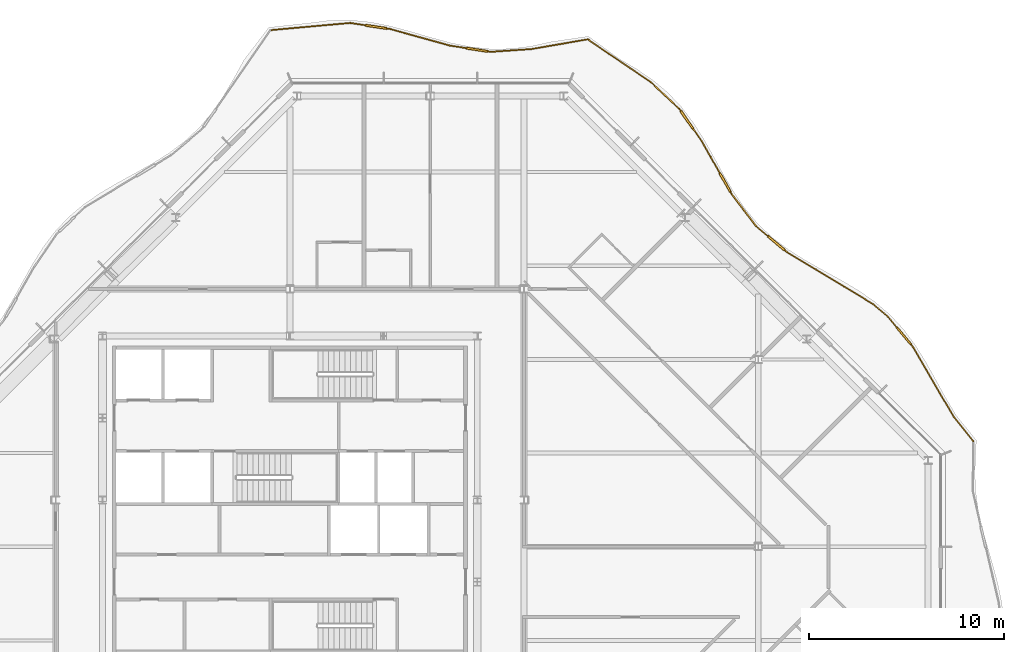
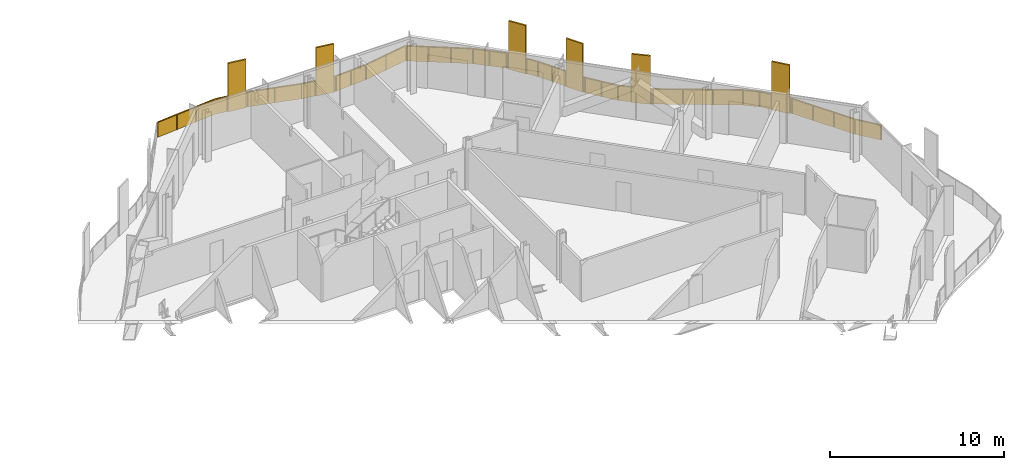
# One storey, part 17 of 17: 2 railings.
"""IFC4 building model written with IfcOpenShell, lengths in metres."""

from ifc_helpers import new_model, si_unit, direction, frame, origin, origin_2d, place, context, subcontext, project, spatial, polyline, rectangle, outline, extrude, material, type_object, element, save


model = new_model("IFC4")

# Units and contexts
model_context = context("Model", 3, precision=1e-05, world=origin(), true_north=direction((0.0, 1.0)))
body_context = subcontext(model_context, "Body", "Model", "MODEL_VIEW")
ifc_project = project(units=[si_unit("LENGTHUNIT", "METRE"), si_unit("AREAUNIT", "SQUARE_METRE"), si_unit("VOLUMEUNIT", "CUBIC_METRE"), si_unit("PLANEANGLEUNIT", "RADIAN"), si_unit("MASSUNIT", "GRAM", prefix="KILO")], contexts=[model_context])

# Site, building, storey
site_placement = place(None, origin())
site = spatial("IfcSite", under=ifc_project, at=site_placement, CompositionType="ELEMENT")
building_placement = place(site_placement, origin())
building = spatial("IfcBuilding", under=site, at=building_placement, Name="Cairn Pilgrim Tower", CompositionType="ELEMENT")
storey_placement = place(building_placement, frame((0.0, 0.0, 270.60009765625)))
storey = spatial("IfcBuildingStorey", under=building, at=storey_placement, Name="L69", CompositionType="ELEMENT", Elevation=270.60009765625)

# Railings
ifc_material = material(Name="Bronze anodised aluminium rail, posts and fin screens with laminated glass infill", Category="aluminium")
railing_type = type_object("IfcRailingType", Name="BALCONY GUARD WITH FIN SCREENS", PredefinedType="GUARDRAIL", material=ifc_material)
railing_1_placement = place(storey_placement, frame((42.224609375, 5.40087890625, 0.0)))
element("IfcRailing", 1, at=railing_1_placement, inside=storey, type_object=railing_type, Name="Balcony guard BGF-3 with fin screens", PredefinedType="GUARDRAIL", context=body_context, shape_type="SweptSolid", body=[
    extrude(rectangle(XDim=0.050048828125, YDim=0.050048828125, at=origin_2d()), frame((0.0, 0.0, 1.0751953125), z_axis=(-0.627549757201, 0.778576458826, 0.0), x_axis=(-0.778576458826, -0.627549757201, 0.0)), (0.0, 0.0, 1.0), 1.62451171875),
    extrude(rectangle(XDim=0.050048828125, YDim=0.050048828125, at=origin_2d()), frame((-1.01953125, 1.264892578125, 1.0751953125), z_axis=(-0.503013166199, 0.864278748224, 0.0), x_axis=(-0.864278748224, -0.503013166199, 0.0)), (0.0, 0.0, 1.0), 4.159423828125),
    extrude(rectangle(XDim=1.10009765625, YDim=0.110107421875, at=origin_2d()), frame((-3.560546875, 5.3974609375, 0.0), z_axis=(0.0, 0.0, 1.0), x_axis=(-0.640774260859, 0.76772934464, 0.0)), (0.0, 0.0, 1.0), 3.39990234375),
    extrude(rectangle(XDim=0.050048828125, YDim=0.050048828125, at=origin_2d()), frame((-3.11181640625, 4.85986328125, 1.0751953125), z_axis=(-0.640774260859, 0.76772934464, 0.0), x_axis=(-0.76772934464, -0.640774260859, 0.0)), (0.0, 0.0, 1.0), 0.150146484375),
    extrude(rectangle(XDim=0.050048828125, YDim=0.050048828125, at=origin_2d()), frame((-3.912841796875, 5.819580078125, 1.0751953125), z_axis=(-0.640774260859, 0.76772934464, 0.0), x_axis=(-0.76772934464, -0.640774260859, 0.0)), (0.0, 0.0, 1.0), 0.744140625),
    extrude(rectangle(XDim=0.050048828125, YDim=0.050048828125, at=origin_2d()), frame((-4.3896484375, 6.390869140625, 1.0751953125), z_axis=(-0.760621288268, 0.649195853217, 0.0), x_axis=(-0.649195853217, -0.760621288268, 0.0)), (0.0, 0.0, 1.0), 0.98388671875),
    extrude(rectangle(XDim=0.050048828125, YDim=0.050048828125, at=origin_2d()), frame((-5.137939453125, 7.029541015625, 1.0751953125), z_axis=(-0.856209231288, 0.516629221257, 0.0), x_axis=(-0.516629221257, -0.856209231288, 0.0)), (0.0, 0.0, 1.0), 5.17919921875),
    extrude(rectangle(XDim=1.10009765625, YDim=0.110107421875, at=origin_2d()), frame((-10.10791015625, 10.15673828125, 0.0), z_axis=(0.0, 0.0, 1.0), x_axis=(-0.76460183526, 0.644502935228, 0.0)), (0.0, 0.0, 1.0), 3.39990234375),
    extrude(rectangle(XDim=0.050048828125, YDim=0.050048828125, at=origin_2d()), frame((-9.572509765625, 9.705322265625, 1.0751953125), z_axis=(-0.76460183526, 0.644502935228, 0.0), x_axis=(-0.644502935228, -0.76460183526, 0.0)), (0.0, 0.0, 1.0), 0.150390625),
    extrude(rectangle(XDim=0.050048828125, YDim=0.050048828125, at=origin_2d()), frame((-10.528564453125, 10.51123046875, 1.0751953125), z_axis=(-0.76460183526, 0.644502935228, 0.0), x_axis=(-0.644502935228, -0.76460183526, 0.0)), (0.0, 0.0, 1.0), 0.796875),
    extrude(rectangle(XDim=0.050048828125, YDim=0.050048828125, at=origin_2d()), frame((-11.1376953125, 11.024658203125, 1.0751953125), z_axis=(-0.60638301309, 0.795172711702, 0.0), x_axis=(-0.795172711702, -0.60638301309, 0.0)), (0.0, 0.0, 1.0), 2.05615234375),
    extrude(rectangle(XDim=1.10009765625, YDim=0.110107421875, at=origin_2d()), frame((-12.729736328125, 13.2685546875, 0.0), z_axis=(0.0, 0.0, 1.0), x_axis=(-0.493232750261, 0.869897381345, 0.0)), (0.0, 0.0, 1.0), 3.39990234375),
    extrude(rectangle(XDim=0.050048828125, YDim=0.050048828125, at=origin_2d()), frame((-12.384521484375, 12.65966796875, 1.0751953125), z_axis=(-0.493232750261, 0.869897381345, 0.0), x_axis=(-0.869897381345, -0.493232750261, 0.0)), (0.0, 0.0, 1.0), 0.150146484375),
    extrude(rectangle(XDim=0.050048828125, YDim=0.050048828125, at=origin_2d()), frame((-13.0009765625, 13.7470703125, 1.0751953125), z_axis=(-0.493232750261, 0.869897381345, 0.0), x_axis=(-0.869897381345, -0.493232750261, 0.0)), (0.0, 0.0, 1.0), 1.883056640625),
    extrude(rectangle(XDim=1.10009765625, YDim=0.110107421875, at=origin_2d()), frame((-14.683837890625, 16.470458984375, 0.0), z_axis=(0.0, 0.0, 1.0), x_axis=(-0.570515781163, 0.821286639027, 0.0)), (0.0, 0.0, 1.0), 3.39990234375),
    extrude(rectangle(XDim=0.050048828125, YDim=0.050048828125, at=origin_2d()), frame((-13.929931640625, 15.38525390625, 1.0751953125), z_axis=(-0.570515781163, 0.821286639027, 0.0), x_axis=(-0.821286639027, -0.570515781163, 0.0)), (0.0, 0.0, 1.0), 0.771240234375),
    extrude(rectangle(XDim=0.050048828125, YDim=0.050048828125, at=origin_2d()), frame((-14.99755859375, 16.922119140625, 1.0751953125), z_axis=(-0.570515781163, 0.821286639027, 0.0), x_axis=(-0.821286639027, -0.570515781163, 0.0)), (0.0, 0.0, 1.0), 0.14990234375),
    extrude(rectangle(XDim=0.050048828125, YDim=0.050048828125, at=origin_2d()), frame((-15.0830078125, 17.045166015625, 1.0751953125), z_axis=(-0.729318513161, 0.684174324541, 0.0), x_axis=(-0.684174324541, -0.729318513161, 0.0)), (0.0, 0.0, 1.0), 1.98486328125),
    extrude(rectangle(XDim=0.050048828125, YDim=0.050048828125, at=origin_2d()), frame((-16.530517578125, 18.403076171875, 1.0751953125), z_axis=(-0.827011417693, 0.562185125209, 0.0), x_axis=(-0.562185125209, -0.827011417693, 0.0)), (0.0, 0.0, 1.0), 3.849853515625),
    extrude(rectangle(XDim=0.050048828125, YDim=0.050048828125, at=origin_2d()), origin(), (0.0, 0.0, 1.0), 1.050048828125),
    extrude(rectangle(XDim=0.050048828125, YDim=0.050048828125, at=origin_2d()), frame((-1.01953125, 1.264892578125, 0.0)), (0.0, 0.0, 1.0), 1.050048828125),
    extrude(rectangle(XDim=0.050048828125, YDim=0.050048828125, at=origin_2d()), frame((-1.717041015625, 2.463134765625, 0.0)), (0.0, 0.0, 1.0), 1.050048828125),
    extrude(rectangle(XDim=0.050048828125, YDim=0.050048828125, at=origin_2d()), frame((-2.414306640625, 3.66162109375, 0.0)), (0.0, 0.0, 1.0), 1.050048828125),
    extrude(rectangle(XDim=0.050048828125, YDim=0.050048828125, at=origin_2d()), frame((-3.11181640625, 4.85986328125, 0.0)), (0.0, 0.0, 1.0), 1.050048828125),
    extrude(rectangle(XDim=0.050048828125, YDim=0.050048828125, at=origin_2d()), frame((-3.19189453125, 4.9560546875, 0.0)), (0.0, 0.0, 1.0), 1.050048828125),
    extrude(rectangle(XDim=0.050048828125, YDim=0.050048828125, at=origin_2d()), frame((-3.928955078125, 5.8388671875, 0.0)), (0.0, 0.0, 1.0), 1.050048828125),
    extrude(rectangle(XDim=0.050048828125, YDim=0.050048828125, at=origin_2d()), frame((-4.3896484375, 6.390869140625, 0.0)), (0.0, 0.0, 1.0), 1.050048828125),
    extrude(rectangle(XDim=0.050048828125, YDim=0.050048828125, at=origin_2d()), frame((-5.137939453125, 7.029541015625, 0.0)), (0.0, 0.0, 1.0), 1.050048828125),
    extrude(rectangle(XDim=0.050048828125, YDim=0.050048828125, at=origin_2d()), frame((-6.6162109375, 7.92138671875, 0.0)), (0.0, 0.0, 1.0), 1.050048828125),
    extrude(rectangle(XDim=0.050048828125, YDim=0.050048828125, at=origin_2d()), frame((-8.09423828125, 8.8134765625, 0.0)), (0.0, 0.0, 1.0), 1.050048828125),
    extrude(rectangle(XDim=0.050048828125, YDim=0.050048828125, at=origin_2d()), frame((-9.572509765625, 9.705322265625, 0.0)), (0.0, 0.0, 1.0), 1.050048828125),
    extrude(rectangle(XDim=0.050048828125, YDim=0.050048828125, at=origin_2d()), frame((-9.668212890625, 9.7861328125, 0.0)), (0.0, 0.0, 1.0), 1.050048828125),
    extrude(rectangle(XDim=0.050048828125, YDim=0.050048828125, at=origin_2d()), frame((-10.547607421875, 10.52734375, 0.0)), (0.0, 0.0, 1.0), 1.050048828125),
    extrude(rectangle(XDim=0.050048828125, YDim=0.050048828125, at=origin_2d()), frame((-11.1376953125, 11.024658203125, 0.0)), (0.0, 0.0, 1.0), 1.050048828125),
    extrude(rectangle(XDim=0.050048828125, YDim=0.050048828125, at=origin_2d()), frame((-11.76123046875, 11.84228515625, 0.0)), (0.0, 0.0, 1.0), 1.050048828125),
    extrude(rectangle(XDim=0.050048828125, YDim=0.050048828125, at=origin_2d()), frame((-12.384521484375, 12.65966796875, 0.0)), (0.0, 0.0, 1.0), 1.050048828125),
    extrude(rectangle(XDim=0.050048828125, YDim=0.050048828125, at=origin_2d()), frame((-12.4462890625, 12.768310546875, 0.0)), (0.0, 0.0, 1.0), 1.050048828125),
    extrude(rectangle(XDim=0.050048828125, YDim=0.050048828125, at=origin_2d()), frame((-13.013427734375, 13.768798828125, 0.0)), (0.0, 0.0, 1.0), 1.050048828125),
    extrude(rectangle(XDim=0.050048828125, YDim=0.050048828125, at=origin_2d()), frame((-13.4716796875, 14.5771484375, 0.0)), (0.0, 0.0, 1.0), 1.050048828125),
    extrude(rectangle(XDim=0.050048828125, YDim=0.050048828125, at=origin_2d()), frame((-13.929931640625, 15.38525390625, 0.0)), (0.0, 0.0, 1.0), 1.050048828125),
    extrude(rectangle(XDim=0.050048828125, YDim=0.050048828125, at=origin_2d()), frame((-14.355712890625, 15.998291015625, 0.0)), (0.0, 0.0, 1.0), 1.050048828125),
    extrude(rectangle(XDim=0.050048828125, YDim=0.050048828125, at=origin_2d()), frame((-15.01171875, 16.942626953125, 0.0)), (0.0, 0.0, 1.0), 1.050048828125),
    extrude(rectangle(XDim=0.050048828125, YDim=0.050048828125, at=origin_2d()), frame((-15.0830078125, 17.045166015625, 0.0)), (0.0, 0.0, 1.0), 1.050048828125),
    extrude(rectangle(XDim=0.050048828125, YDim=0.050048828125, at=origin_2d()), frame((-15.806640625, 17.72412109375, 0.0)), (0.0, 0.0, 1.0), 1.050048828125),
    extrude(rectangle(XDim=0.050048828125, YDim=0.050048828125, at=origin_2d()), frame((-16.530517578125, 18.403076171875, 0.0)), (0.0, 0.0, 1.0), 1.050048828125),
    extrude(rectangle(XDim=0.050048828125, YDim=0.050048828125, at=origin_2d()), frame((-17.591796875, 19.12451171875, 0.0)), (0.0, 0.0, 1.0), 1.050048828125),
    extrude(rectangle(XDim=0.050048828125, YDim=0.050048828125, at=origin_2d()), frame((-18.653076171875, 19.845947265625, 0.0)), (0.0, 0.0, 1.0), 1.050048828125),
    extrude(rectangle(XDim=0.050048828125, YDim=0.050048828125, at=origin_2d()), frame((-19.71435546875, 20.5673828125, 0.0)), (0.0, 0.0, 1.0), 1.050048828125),
    extrude(outline(polyline([(0.02490234375, 0.0), (1.599609375, 0.0), (1.599609375, 1.050048828125), (0.02490234375, 1.050048828125), (0.02490234375, 0.0)])), frame((-0.004638671875, -0.003662109375, 0.0), z_axis=(0.778576458826, 0.627549757201, 0.0), x_axis=(-0.627549757201, 0.778576458826, 0.0)), (0.0, 0.0, 1.0), 0.011962890625),
    extrude(outline(polyline([(0.02490234375, 0.0), (1.361572265625, 0.0), (1.361572265625, 1.050048828125), (0.02490234375, 1.050048828125), (0.02490234375, 0.0)])), frame((-1.024658203125, 1.261962890625, 0.0), z_axis=(0.864278748224, 0.503013166199, 0.0), x_axis=(-0.503013166199, 0.864278748224, 0.0)), (0.0, 0.0, 1.0), 0.011962890625),
    extrude(outline(polyline([(0.02490234375, 0.0), (1.361572265625, 0.0), (1.361572265625, 1.050048828125), (0.02490234375, 1.050048828125), (0.02490234375, 0.0)])), frame((-1.72216796875, 2.460205078125, 0.0), z_axis=(0.864278748224, 0.503013166199, 0.0), x_axis=(-0.503013166199, 0.864278748224, 0.0)), (0.0, 0.0, 1.0), 0.011962890625),
    extrude(outline(polyline([(0.02490234375, 0.0), (1.361572265625, 0.0), (1.361572265625, 1.050048828125), (0.02490234375, 1.050048828125), (0.02490234375, 0.0)])), frame((-2.419677734375, 3.658447265625, 0.0), z_axis=(0.864278748224, 0.503013166199, 0.0), x_axis=(-0.503013166199, 0.864278748224, 0.0)), (0.0, 0.0, 1.0), 0.011962890625),
    extrude(outline(polyline([(0.02490234375, 0.0), (0.10009765625, 0.0), (0.10009765625, 1.050048828125), (0.02490234375, 1.050048828125), (0.02490234375, 0.0)])), frame((-3.116455078125, 4.85595703125, 0.0), z_axis=(0.76772934464, 0.640774260859, 0.0), x_axis=(-0.640774260859, 0.76772934464, 0.0)), (0.0, 0.0, 1.0), 0.011962890625),
    extrude(outline(polyline([(0.02490234375, 0.0), (0.694091796875, 0.0), (0.694091796875, 1.050048828125), (0.02490234375, 1.050048828125), (0.02490234375, 0.0)])), frame((-3.93359375, 5.8349609375, 0.0), z_axis=(0.76772934464, 0.640774260859, 0.0), x_axis=(-0.640774260859, 0.76772934464, 0.0)), (0.0, 0.0, 1.0), 0.011962890625),
    extrude(outline(polyline([(0.02490234375, 0.0), (0.958740234375, 0.0), (0.958740234375, 1.050048828125), (0.02490234375, 1.050048828125), (0.02490234375, 0.0)])), frame((-4.3935546875, 6.38623046875, 0.0), z_axis=(0.649195853217, 0.760621288268, 0.0), x_axis=(-0.760621288268, 0.649195853217, 0.0)), (0.0, 0.0, 1.0), 0.011962890625),
    extrude(outline(polyline([(0.02490234375, 0.0), (1.701416015625, 0.0), (1.701416015625, 1.050048828125), (0.02490234375, 1.050048828125), (0.02490234375, 0.0)])), frame((-5.14111328125, 7.0244140625, 0.0), z_axis=(0.516629221257, 0.856209231288, 0.0), x_axis=(-0.856209231288, 0.516629221257, 0.0)), (0.0, 0.0, 1.0), 0.011962890625),
    extrude(outline(polyline([(0.02490234375, 0.0), (1.701416015625, 0.0), (1.701416015625, 1.050048828125), (0.02490234375, 1.050048828125), (0.02490234375, 0.0)])), frame((-6.619140625, 7.916259765625, 0.0), z_axis=(0.516629221257, 0.856209231288, 0.0), x_axis=(-0.856209231288, 0.516629221257, 0.0)), (0.0, 0.0, 1.0), 0.011962890625),
    extrude(outline(polyline([(0.02490234375, 0.0), (1.701416015625, 0.0), (1.701416015625, 1.050048828125), (0.02490234375, 1.050048828125), (0.02490234375, 0.0)])), frame((-8.097412109375, 8.808349609375, 0.0), z_axis=(0.516629221257, 0.856209231288, 0.0), x_axis=(-0.856209231288, 0.516629221257, 0.0)), (0.0, 0.0, 1.0), 0.011962890625),
    extrude(outline(polyline([(0.02490234375, 0.0), (0.100341796875, 0.0), (0.100341796875, 1.050048828125), (0.02490234375, 1.050048828125), (0.02490234375, 0.0)])), frame((-9.576416015625, 9.70068359375, 0.0), z_axis=(0.644502935228, 0.76460183526, 0.0), x_axis=(-0.76460183526, 0.644502935228, 0.0)), (0.0, 0.0, 1.0), 0.011962890625),
    extrude(outline(polyline([(0.02490234375, 0.0), (0.746826171875, 0.0), (0.746826171875, 1.050048828125), (0.02490234375, 1.050048828125), (0.02490234375, 0.0)])), frame((-10.551513671875, 10.522705078125, 0.0), z_axis=(0.644502935228, 0.76460183526, 0.0), x_axis=(-0.76460183526, 0.644502935228, 0.0)), (0.0, 0.0, 1.0), 0.011962890625),
    extrude(outline(polyline([(0.02490234375, 0.0), (1.003173828125, 0.0), (1.003173828125, 1.050048828125), (0.02490234375, 1.050048828125), (0.02490234375, 0.0)])), frame((-11.142333984375, 11.02099609375, 0.0), z_axis=(0.795172711702, 0.60638301309, 0.0), x_axis=(-0.60638301309, 0.795172711702, 0.0)), (0.0, 0.0, 1.0), 0.011962890625),
    extrude(outline(polyline([(0.02490234375, 0.0), (1.003173828125, 0.0), (1.003173828125, 1.050048828125), (0.02490234375, 1.050048828125), (0.02490234375, 0.0)])), frame((-11.765869140625, 11.838623046875, 0.0), z_axis=(0.795172711702, 0.60638301309, 0.0), x_axis=(-0.60638301309, 0.795172711702, 0.0)), (0.0, 0.0, 1.0), 0.011962890625),
    extrude(outline(polyline([(0.02490234375, 0.0), (0.10009765625, 0.0), (0.10009765625, 1.050048828125), (0.02490234375, 1.050048828125), (0.02490234375, 0.0)])), frame((-12.3896484375, 12.65673828125, 0.0), z_axis=(0.869897381345, 0.493232750261, 0.0), x_axis=(-0.493232750261, 0.869897381345, 0.0)), (0.0, 0.0, 1.0), 0.011962890625),
    extrude(outline(polyline([(0.02490234375, 0.0), (0.904052734375, 0.0), (0.904052734375, 1.050048828125), (0.02490234375, 1.050048828125), (0.02490234375, 0.0)])), frame((-13.0185546875, 13.765869140625, 0.0), z_axis=(0.869897381345, 0.493232750261, 0.0), x_axis=(-0.493232750261, 0.869897381345, 0.0)), (0.0, 0.0, 1.0), 0.011962890625),
    extrude(outline(polyline([(0.02490234375, 0.0), (0.904052734375, 0.0), (0.904052734375, 1.050048828125), (0.02490234375, 1.050048828125), (0.02490234375, 0.0)])), frame((-13.476806640625, 14.57421875, 0.0), z_axis=(0.869897381345, 0.493232750261, 0.0), x_axis=(-0.493232750261, 0.869897381345, 0.0)), (0.0, 0.0, 1.0), 0.011962890625),
    extrude(outline(polyline([(0.02490234375, 0.0), (0.72119140625, 0.0), (0.72119140625, 1.050048828125), (0.02490234375, 1.050048828125), (0.02490234375, 0.0)])), frame((-13.934814453125, 15.3818359375, 0.0), z_axis=(0.821286639027, 0.570515781163, 0.0), x_axis=(-0.570515781163, 0.821286639027, 0.0)), (0.0, 0.0, 1.0), 0.011962890625),
    extrude(outline(polyline([(0.02490234375, 0.0), (0.099853515625, 0.0), (0.099853515625, 1.050048828125), (0.02490234375, 1.050048828125), (0.02490234375, 0.0)])), frame((-15.016845703125, 16.939208984375, 0.0), z_axis=(0.821286639027, 0.570515781163, 0.0), x_axis=(-0.570515781163, 0.821286639027, 0.0)), (0.0, 0.0, 1.0), 0.011962890625),
    extrude(outline(polyline([(0.02490234375, 0.0), (0.96728515625, 0.0), (0.96728515625, 1.050048828125), (0.02490234375, 1.050048828125), (0.02490234375, 0.0)])), frame((-15.087158203125, 17.040771484375, 0.0), z_axis=(0.684174324541, 0.729318513161, 0.0), x_axis=(-0.729318513161, 0.684174324541, 0.0)), (0.0, 0.0, 1.0), 0.011962890625),
    extrude(outline(polyline([(0.02490234375, 0.0), (0.96728515625, 0.0), (0.96728515625, 1.050048828125), (0.02490234375, 1.050048828125), (0.02490234375, 0.0)])), frame((-15.810791015625, 17.7197265625, 0.0), z_axis=(0.684174324541, 0.729318513161, 0.0), x_axis=(-0.729318513161, 0.684174324541, 0.0)), (0.0, 0.0, 1.0), 0.011962890625),
    extrude(outline(polyline([(0.02490234375, 0.0), (1.25830078125, 0.0), (1.25830078125, 1.050048828125), (0.02490234375, 1.050048828125), (0.02490234375, 0.0)])), frame((-16.533935546875, 18.398193359375, 0.0), z_axis=(0.562185125209, 0.827011417693, 0.0), x_axis=(-0.827011417693, 0.562185125209, 0.0)), (0.0, 0.0, 1.0), 0.011962890625),
    extrude(outline(polyline([(0.02490234375, 0.0), (1.25830078125, 0.0), (1.25830078125, 1.050048828125), (0.02490234375, 1.050048828125), (0.02490234375, 0.0)])), frame((-17.59521484375, 19.11962890625, 0.0), z_axis=(0.562185125209, 0.827011417693, 0.0), x_axis=(-0.827011417693, 0.562185125209, 0.0)), (0.0, 0.0, 1.0), 0.011962890625),
    extrude(outline(polyline([(0.02490234375, 0.0), (1.25830078125, 0.0), (1.25830078125, 1.050048828125), (0.02490234375, 1.050048828125), (0.02490234375, 0.0)])), frame((-18.656494140625, 19.841064453125, 0.0), z_axis=(0.562185125209, 0.827011417693, 0.0), x_axis=(-0.827011417693, 0.562185125209, 0.0)), (0.0, 0.0, 1.0), 0.011962890625),
])
railing_2_placement = place(storey_placement, frame((22.460693359375, 26.001953125, 0.0)))
element("IfcRailing", 2, at=railing_2_placement, inside=storey, type_object=railing_type, Name="Balcony guard BGF-4 with fin screens", PredefinedType="GUARDRAIL", context=body_context, shape_type="SweptSolid", body=[
    extrude(rectangle(XDim=0.050048828125, YDim=0.050048828125, at=origin_2d()), frame((0.0, 0.0, 1.0751953125), z_axis=(-0.985375695281, -0.170395830789, 0.0), x_axis=(0.170395830789, -0.985375695281, 0.0)), (0.0, 0.0, 1.0), 2.94287109375),
    extrude(rectangle(XDim=0.050048828125, YDim=0.050048828125, at=origin_2d()), frame((-2.89990234375, -0.50146484375, 1.0751953125), z_axis=(-0.997709969813, -0.067637387116, 0.0), x_axis=(0.067637387116, -0.997709969813, 0.0)), (0.0, 0.0, 1.0), 2.08642578125),
    extrude(rectangle(XDim=1.10009765625, YDim=0.110107421875, at=origin_2d()), frame((-5.673095703125, -0.535888671875, 0.0), z_axis=(0.0, 0.0, 1.0), x_axis=(-0.988287151829, 0.152605719189, 0.0)), (0.0, 0.0, 1.0), 3.39990234375),
    extrude(rectangle(XDim=0.050048828125, YDim=0.050048828125, at=origin_2d()), frame((-4.9814453125, -0.642578125, 1.0751953125), z_axis=(-0.988287151829, 0.152605719189, 0.0), x_axis=(-0.152605719189, -0.988287151829, 0.0)), (0.0, 0.0, 1.0), 0.14990234375),
    extrude(rectangle(XDim=0.050048828125, YDim=0.050048828125, at=origin_2d()), frame((-6.216552734375, -0.451904296875, 1.0751953125), z_axis=(-0.988287151829, 0.152605719189, 0.0), x_axis=(-0.152605719189, -0.988287151829, 0.0)), (0.0, 0.0, 1.0), 0.857177734375),
    extrude(rectangle(XDim=0.050048828125, YDim=0.050048828125, at=origin_2d()), frame((-7.063720703125, -0.321044921875, 1.0751953125), z_axis=(-0.963764413516, 0.266754859826, 0.0), x_axis=(-0.266754859826, -0.963764413516, 0.0)), (0.0, 0.0, 1.0), 3.201416015625),
    extrude(rectangle(XDim=1.10009765625, YDim=0.110107421875, at=origin_2d()), frame((-10.84130859375, 0.63720703125, 0.0), z_axis=(0.0, 0.0, 1.0), x_axis=(-0.988855965704, 0.14887538108, 0.0)), (0.0, 0.0, 1.0), 3.39990234375),
    extrude(rectangle(XDim=0.050048828125, YDim=0.050048828125, at=origin_2d()), frame((-10.149169921875, 0.532958984375, 1.0751953125), z_axis=(-0.988855965704, 0.14887538108, 0.0), x_axis=(-0.14887538108, -0.988855965704, 0.0)), (0.0, 0.0, 1.0), 0.14990234375),
    extrude(rectangle(XDim=0.050048828125, YDim=0.050048828125, at=origin_2d()), frame((-11.385009765625, 0.718994140625, 1.0751953125), z_axis=(-0.988855965704, 0.14887538108, 0.0), x_axis=(-0.14887538108, -0.988855965704, 0.0)), (0.0, 0.0, 1.0), 0.80322265625),
    extrude(rectangle(XDim=0.050048828125, YDim=0.050048828125, at=origin_2d()), frame((-12.179443359375, 0.838623046875, 1.0751953125), z_axis=(-0.995944097756, -0.089974185991, 0.0), x_axis=(0.089974185991, -0.995944097756, 0.0)), (0.0, 0.0, 1.0), 4.03759765625),
    extrude(rectangle(XDim=0.050048828125, YDim=0.050048828125, at=origin_2d()), origin(), (0.0, 0.0, 1.0), 1.050048828125),
    extrude(rectangle(XDim=0.050048828125, YDim=0.050048828125, at=origin_2d()), frame((-1.449951171875, -0.250732421875, 0.0)), (0.0, 0.0, 1.0), 1.050048828125),
    extrude(rectangle(XDim=0.050048828125, YDim=0.050048828125, at=origin_2d()), frame((-2.89990234375, -0.50146484375, 0.0)), (0.0, 0.0, 1.0), 1.050048828125),
    extrude(rectangle(XDim=0.050048828125, YDim=0.050048828125, at=origin_2d()), frame((-3.940673828125, -0.572021484375, 0.0)), (0.0, 0.0, 1.0), 1.050048828125),
    extrude(rectangle(XDim=0.050048828125, YDim=0.050048828125, at=origin_2d()), frame((-4.9814453125, -0.642578125, 0.0)), (0.0, 0.0, 1.0), 1.050048828125),
    extrude(rectangle(XDim=0.050048828125, YDim=0.050048828125, at=origin_2d()), frame((-5.104736328125, -0.62353515625, 0.0)), (0.0, 0.0, 1.0), 1.050048828125),
    extrude(rectangle(XDim=0.050048828125, YDim=0.050048828125, at=origin_2d()), frame((-6.241455078125, -0.447998046875, 0.0)), (0.0, 0.0, 1.0), 1.050048828125),
    extrude(rectangle(XDim=0.050048828125, YDim=0.050048828125, at=origin_2d()), frame((-7.063720703125, -0.321044921875, 0.0)), (0.0, 0.0, 1.0), 1.050048828125),
    extrude(rectangle(XDim=0.050048828125, YDim=0.050048828125, at=origin_2d()), frame((-8.6064453125, 0.10595703125, 0.0)), (0.0, 0.0, 1.0), 1.050048828125),
    extrude(rectangle(XDim=0.050048828125, YDim=0.050048828125, at=origin_2d()), frame((-10.149169921875, 0.532958984375, 0.0)), (0.0, 0.0, 1.0), 1.050048828125),
    extrude(rectangle(XDim=0.050048828125, YDim=0.050048828125, at=origin_2d()), frame((-10.272705078125, 0.551513671875, 0.0)), (0.0, 0.0, 1.0), 1.050048828125),
    extrude(rectangle(XDim=0.050048828125, YDim=0.050048828125, at=origin_2d()), frame((-11.409912109375, 0.72265625, 0.0)), (0.0, 0.0, 1.0), 1.050048828125),
    extrude(rectangle(XDim=0.050048828125, YDim=0.050048828125, at=origin_2d()), frame((-12.179443359375, 0.838623046875, 0.0)), (0.0, 0.0, 1.0), 1.050048828125),
    extrude(rectangle(XDim=0.050048828125, YDim=0.050048828125, at=origin_2d()), frame((-13.519775390625, 0.717529296875, 0.0)), (0.0, 0.0, 1.0), 1.050048828125),
    extrude(rectangle(XDim=0.050048828125, YDim=0.050048828125, at=origin_2d()), frame((-14.8603515625, 0.596435546875, 0.0)), (0.0, 0.0, 1.0), 1.050048828125),
    extrude(rectangle(XDim=0.050048828125, YDim=0.050048828125, at=origin_2d()), frame((-16.20068359375, 0.475341796875, 0.0)), (0.0, 0.0, 1.0), 1.050048828125),
    extrude(outline(polyline([(0.02490234375, 0.0), (1.446533203125, 0.0), (1.446533203125, 1.050048828125), (0.02490234375, 1.050048828125), (0.02490234375, 0.0)])), frame((0.0009765625, -0.005859375, 0.0), z_axis=(-0.170395830789, 0.985375695281, 0.0), x_axis=(-0.985375695281, -0.170395830789, 0.0)), (0.0, 0.0, 1.0), 0.011962890625),
    extrude(outline(polyline([(0.02490234375, 0.0), (1.446533203125, 0.0), (1.446533203125, 1.050048828125), (0.02490234375, 1.050048828125), (0.02490234375, 0.0)])), frame((-1.448974609375, -0.256591796875, 0.0), z_axis=(-0.170395830789, 0.985375695281, 0.0), x_axis=(-0.985375695281, -0.170395830789, 0.0)), (0.0, 0.0, 1.0), 0.011962890625),
    extrude(outline(polyline([(0.02490234375, 0.0), (1.01806640625, 0.0), (1.01806640625, 1.050048828125), (0.02490234375, 1.050048828125), (0.02490234375, 0.0)])), frame((-2.8994140625, -0.50732421875, 0.0), z_axis=(-0.067637387116, 0.997709969813, 0.0), x_axis=(-0.997709969813, -0.067637387116, 0.0)), (0.0, 0.0, 1.0), 0.011962890625),
    extrude(outline(polyline([(0.02490234375, 0.0), (1.01806640625, 0.0), (1.01806640625, 1.050048828125), (0.02490234375, 1.050048828125), (0.02490234375, 0.0)])), frame((-3.940185546875, -0.577880859375, 0.0), z_axis=(-0.067637387116, 0.997709969813, 0.0), x_axis=(-0.997709969813, -0.067637387116, 0.0)), (0.0, 0.0, 1.0), 0.011962890625),
    extrude(outline(polyline([(0.02490234375, 0.0), (0.099853515625, 0.0), (0.099853515625, 1.050048828125), (0.02490234375, 1.050048828125), (0.02490234375, 0.0)])), frame((-4.982421875, -0.6484375, 0.0), z_axis=(0.152605719189, 0.988287151829, 0.0), x_axis=(-0.988287151829, 0.152605719189, 0.0)), (0.0, 0.0, 1.0), 0.011962890625),
    extrude(outline(polyline([(0.02490234375, 0.0), (0.80712890625, 0.0), (0.80712890625, 1.050048828125), (0.02490234375, 1.050048828125), (0.02490234375, 0.0)])), frame((-6.2421875, -0.453857421875, 0.0), z_axis=(0.152605719189, 0.988287151829, 0.0), x_axis=(-0.988287151829, 0.152605719189, 0.0)), (0.0, 0.0, 1.0), 0.011962890625),
    extrude(outline(polyline([(0.02490234375, 0.0), (1.57568359375, 0.0), (1.57568359375, 1.050048828125), (0.02490234375, 1.050048828125), (0.02490234375, 0.0)])), frame((-7.0654296875, -0.326904296875, 0.0), z_axis=(0.266754859826, 0.963764413516, 0.0), x_axis=(-0.963764413516, 0.266754859826, 0.0)), (0.0, 0.0, 1.0), 0.011962890625),
    extrude(outline(polyline([(0.02490234375, 0.0), (1.57568359375, 0.0), (1.57568359375, 1.050048828125), (0.02490234375, 1.050048828125), (0.02490234375, 0.0)])), frame((-8.608154296875, 0.10009765625, 0.0), z_axis=(0.266754859826, 0.963764413516, 0.0), x_axis=(-0.963764413516, 0.266754859826, 0.0)), (0.0, 0.0, 1.0), 0.011962890625),
    extrude(outline(polyline([(0.02490234375, 0.0), (0.099853515625, 0.0), (0.099853515625, 1.050048828125), (0.02490234375, 1.050048828125), (0.02490234375, 0.0)])), frame((-10.150146484375, 0.527099609375, 0.0), z_axis=(0.14887538108, 0.988855965704, 0.0), x_axis=(-0.988855965704, 0.14887538108, 0.0)), (0.0, 0.0, 1.0), 0.011962890625),
    extrude(outline(polyline([(0.02490234375, 0.0), (0.753173828125, 0.0), (0.753173828125, 1.050048828125), (0.02490234375, 1.050048828125), (0.02490234375, 0.0)])), frame((-11.41064453125, 0.716796875, 0.0), z_axis=(0.14887538108, 0.988855965704, 0.0), x_axis=(-0.988855965704, 0.14887538108, 0.0)), (0.0, 0.0, 1.0), 0.011962890625),
    extrude(outline(polyline([(0.02490234375, 0.0), (1.32080078125, 0.0), (1.32080078125, 1.050048828125), (0.02490234375, 1.050048828125), (0.02490234375, 0.0)])), frame((-12.178955078125, 0.832763671875, 0.0), z_axis=(-0.089974185991, 0.995944097756, 0.0), x_axis=(-0.995944097756, -0.089974185991, 0.0)), (0.0, 0.0, 1.0), 0.011962890625),
    extrude(outline(polyline([(0.02490234375, 0.0), (1.32080078125, 0.0), (1.32080078125, 1.050048828125), (0.02490234375, 1.050048828125), (0.02490234375, 0.0)])), frame((-13.519287109375, 0.711669921875, 0.0), z_axis=(-0.089974185991, 0.995944097756, 0.0), x_axis=(-0.995944097756, -0.089974185991, 0.0)), (0.0, 0.0, 1.0), 0.011962890625),
    extrude(outline(polyline([(0.02490234375, 0.0), (1.32080078125, 0.0), (1.32080078125, 1.050048828125), (0.02490234375, 1.050048828125), (0.02490234375, 0.0)])), frame((-14.859619140625, 0.590576171875, 0.0), z_axis=(-0.089974185991, 0.995944097756, 0.0), x_axis=(-0.995944097756, -0.089974185991, 0.0)), (0.0, 0.0, 1.0), 0.011962890625),
])

save(model, "model.ifc")
